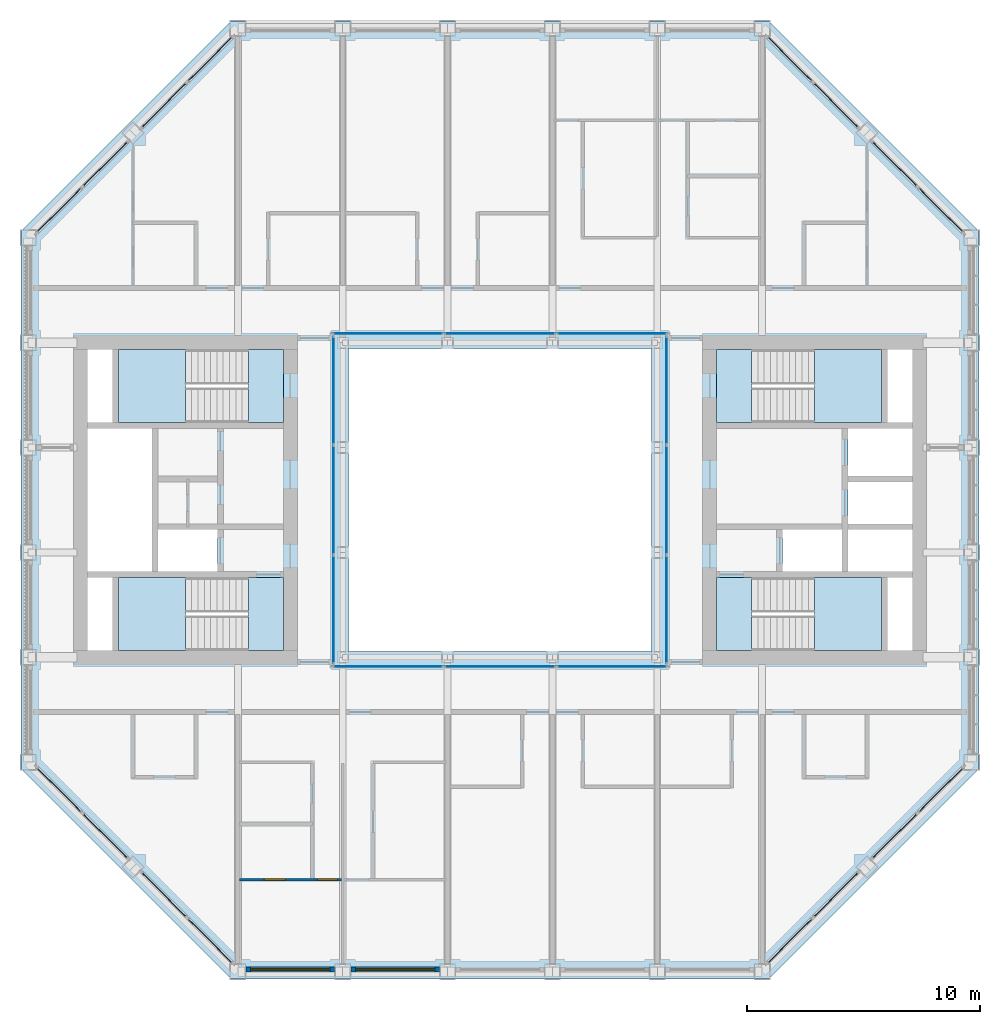
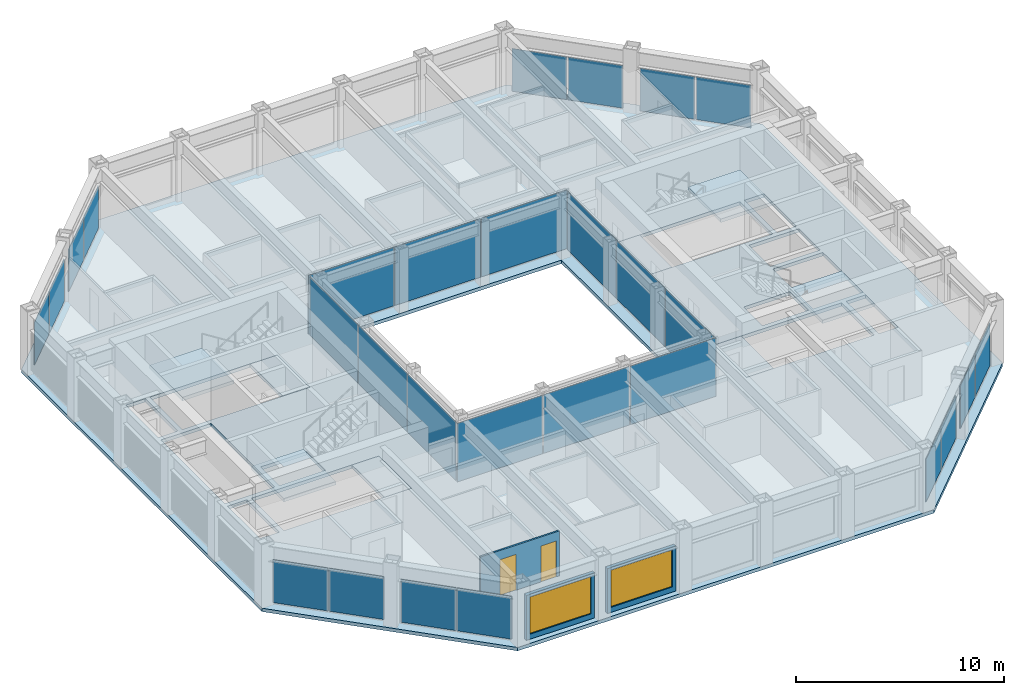
# One storey, part 8 of 18: 28 plates, 9 slabs, 3 walls, 2 doors, 2 windows, 4 openings, 16 elements without a shape of their own.
"""IFC4 building model written with IfcOpenShell, lengths in metres."""

from ifc_helpers import new_model, si_unit, direction, frame, frame_2d, origin, origin_2d, place, context, subcontext, project, spatial, polyline, rectangle, outline, extrude, material, layer, layer_set, type_object, element, fill, aggregate, save


model = new_model("IFC4")

# Units and contexts
model_context = context("Model", 3, precision=1e-05, world=origin(), true_north=direction((0.0, 1.0)))
body_context = subcontext(model_context, "Body", "Model", "MODEL_VIEW")
ifc_project = project(units=[si_unit("LENGTHUNIT", "METRE"), si_unit("AREAUNIT", "SQUARE_METRE"), si_unit("VOLUMEUNIT", "CUBIC_METRE"), si_unit("PLANEANGLEUNIT", "RADIAN"), si_unit("MASSUNIT", "GRAM", prefix="KILO")], contexts=[model_context])

# Site, building, storey
site_placement = place(None, origin())
site = spatial("IfcSite", under=ifc_project, at=site_placement, CompositionType="ELEMENT")
building_placement = place(site_placement, origin())
building = spatial("IfcBuilding", under=site, at=building_placement, Name="Msasa Ring Tower", CompositionType="ELEMENT")
storey_placement = place(building_placement, frame((0.0, 0.0, 223.300048828125)))
storey = spatial("IfcBuildingStorey", under=building, at=storey_placement, Name="L58", CompositionType="ELEMENT", Elevation=223.300048828125)

# Curtain wall, plates
ifc_material_1 = material(Name="Aluminium curtain wall with clear glass", Category="aluminium")
curtain_wall_type_1 = type_object("IfcCurtainWallType", Name="CW-C CHAMFER CORNER CURTAIN WALL", PredefinedType="NOTDEFINED", material=ifc_material_1)
curtain_wall_1_placement = place(storey_placement, origin())
curtain_wall_1 = element("IfcCurtainWall", 1, at=curtain_wall_1_placement, inside=storey, type_object=curtain_wall_type_1, Name="Chamfer corner curtain wall SE L58", PredefinedType="NOTDEFINED")
ifc_material_2 = material(Name="Clear laminated insulating glass unit", Category="glass")
ifc_layer_1 = layer(ifc_material_2, 0.031982421875)
ifc_layer_set_1 = layer_set([ifc_layer_1], Name="CW-C GLASS PANEL 32")
plate_type_1 = type_object("IfcPlateType", Name="CW-C GLASS PANEL 32", PredefinedType="CURTAIN_PANEL", material=ifc_layer_set_1)
plate_1_placement = place(storey_placement, frame((12.44140625, -18.917236328125, 0.06494140625), z_axis=(0.0, 0.0, 1.0), x_axis=(0.707106781187, 0.707106781187, 0.0)))
plate_1 = element("IfcPlate", 2, at=plate_1_placement, type_object=plate_type_1, Name="CW-C panel 1.1", PredefinedType="CURTAIN_PANEL", context=body_context, shape_type="SweptSolid", body=[
    extrude(rectangle(XDim=2.7294921875, YDim=0.031982421875, at=origin_2d()), origin(), (0.0, 0.0, 1.0), 2.4990234375),
])
plate_2_placement = place(storey_placement, frame((14.417236328125, -16.94140625, 0.06494140625), z_axis=(0.0, 0.0, 1.0), x_axis=(0.707106781187, 0.707106781187, 0.0)))
plate_2 = element("IfcPlate", 3, at=plate_2_placement, type_object=plate_type_1, Name="CW-C panel 2.1", PredefinedType="CURTAIN_PANEL", context=body_context, shape_type="SweptSolid", body=[
    extrude(rectangle(XDim=2.7294921875, YDim=0.031982421875, at=origin_2d()), origin(), (0.0, 0.0, 1.0), 2.4990234375),
])
aggregate(curtain_wall_1, [plate_1, plate_2])

curtain_wall_2_placement = place(storey_placement, origin())
curtain_wall_2 = element("IfcCurtainWall", 4, at=curtain_wall_2_placement, inside=storey, type_object=curtain_wall_type_1, Name="Chamfer corner curtain wall SE L58", PredefinedType="NOTDEFINED")
plate_3_placement = place(storey_placement, frame((16.94140625, -14.417236328125, 0.06494140625), z_axis=(0.0, 0.0, 1.0), x_axis=(0.707106781187, 0.707106781187, 0.0)))
plate_3 = element("IfcPlate", 5, at=plate_3_placement, type_object=plate_type_1, Name="CW-C panel 1.1", PredefinedType="CURTAIN_PANEL", context=body_context, shape_type="SweptSolid", body=[
    extrude(rectangle(XDim=2.7294921875, YDim=0.031982421875, at=origin_2d()), origin(), (0.0, 0.0, 1.0), 2.4990234375),
])
plate_4_placement = place(storey_placement, frame((18.917236328125, -12.44140625, 0.06494140625), z_axis=(0.0, 0.0, 1.0), x_axis=(0.707106781187, 0.707106781187, 0.0)))
plate_4 = element("IfcPlate", 6, at=plate_4_placement, type_object=plate_type_1, Name="CW-C panel 2.1", PredefinedType="CURTAIN_PANEL", context=body_context, shape_type="SweptSolid", body=[
    extrude(rectangle(XDim=2.7294921875, YDim=0.031982421875, at=origin_2d()), origin(), (0.0, 0.0, 1.0), 2.4990234375),
])
aggregate(curtain_wall_2, [plate_3, plate_4])

curtain_wall_3_placement = place(storey_placement, origin())
curtain_wall_3 = element("IfcCurtainWall", 7, at=curtain_wall_3_placement, inside=storey, type_object=curtain_wall_type_1, Name="Chamfer corner curtain wall NE L58", PredefinedType="NOTDEFINED")
plate_5_placement = place(storey_placement, frame((14.417236328125, 16.94140625, 0.06494140625), z_axis=(0.0, 0.0, 1.0), x_axis=(-0.707106781187, 0.707106781187, 0.0)))
plate_5 = element("IfcPlate", 8, at=plate_5_placement, type_object=plate_type_1, Name="CW-C panel 1.1", PredefinedType="CURTAIN_PANEL", context=body_context, shape_type="SweptSolid", body=[
    extrude(rectangle(XDim=2.7294921875, YDim=0.031982421875, at=origin_2d()), origin(), (0.0, 0.0, 1.0), 2.4990234375),
])
plate_6_placement = place(storey_placement, frame((12.44140625, 18.917236328125, 0.06494140625), z_axis=(0.0, 0.0, 1.0), x_axis=(-0.707106781187, 0.707106781187, 0.0)))
plate_6 = element("IfcPlate", 9, at=plate_6_placement, type_object=plate_type_1, Name="CW-C panel 2.1", PredefinedType="CURTAIN_PANEL", context=body_context, shape_type="SweptSolid", body=[
    extrude(rectangle(XDim=2.7294921875, YDim=0.031982421875, at=origin_2d()), origin(), (0.0, 0.0, 1.0), 2.4990234375),
])
aggregate(curtain_wall_3, [plate_5, plate_6])

curtain_wall_4_placement = place(storey_placement, origin())
curtain_wall_4 = element("IfcCurtainWall", 10, at=curtain_wall_4_placement, inside=storey, type_object=curtain_wall_type_1, Name="Chamfer corner curtain wall NE L58", PredefinedType="NOTDEFINED")
plate_7_placement = place(storey_placement, frame((18.917236328125, 12.44140625, 0.06494140625), z_axis=(0.0, 0.0, 1.0), x_axis=(-0.707106781187, 0.707106781187, 0.0)))
plate_7 = element("IfcPlate", 11, at=plate_7_placement, type_object=plate_type_1, Name="CW-C panel 1.1", PredefinedType="CURTAIN_PANEL", context=body_context, shape_type="SweptSolid", body=[
    extrude(rectangle(XDim=2.7294921875, YDim=0.031982421875, at=origin_2d()), origin(), (0.0, 0.0, 1.0), 2.4990234375),
])
plate_8_placement = place(storey_placement, frame((16.94140625, 14.417236328125, 0.06494140625), z_axis=(0.0, 0.0, 1.0), x_axis=(-0.707106781187, 0.707106781187, 0.0)))
plate_8 = element("IfcPlate", 12, at=plate_8_placement, type_object=plate_type_1, Name="CW-C panel 2.1", PredefinedType="CURTAIN_PANEL", context=body_context, shape_type="SweptSolid", body=[
    extrude(rectangle(XDim=2.7294921875, YDim=0.031982421875, at=origin_2d()), origin(), (0.0, 0.0, 1.0), 2.4990234375),
])
aggregate(curtain_wall_4, [plate_7, plate_8])

curtain_wall_5_placement = place(storey_placement, origin())
curtain_wall_5 = element("IfcCurtainWall", 13, at=curtain_wall_5_placement, inside=storey, type_object=curtain_wall_type_1, Name="Chamfer corner curtain wall NW L58", PredefinedType="NOTDEFINED")
plate_9_placement = place(storey_placement, frame((-16.94140625, 14.417236328125, 0.06494140625), z_axis=(0.0, 0.0, 1.0), x_axis=(-0.707106781187, -0.707106781187, 0.0)))
plate_9 = element("IfcPlate", 14, at=plate_9_placement, type_object=plate_type_1, Name="CW-C panel 1.1", PredefinedType="CURTAIN_PANEL", context=body_context, shape_type="SweptSolid", body=[
    extrude(rectangle(XDim=2.7294921875, YDim=0.031982421875, at=origin_2d()), origin(), (0.0, 0.0, 1.0), 2.4990234375),
])
plate_10_placement = place(storey_placement, frame((-18.917236328125, 12.44140625, 0.06494140625), z_axis=(0.0, 0.0, 1.0), x_axis=(-0.707106781187, -0.707106781187, 0.0)))
plate_10 = element("IfcPlate", 15, at=plate_10_placement, type_object=plate_type_1, Name="CW-C panel 2.1", PredefinedType="CURTAIN_PANEL", context=body_context, shape_type="SweptSolid", body=[
    extrude(rectangle(XDim=2.7294921875, YDim=0.031982421875, at=origin_2d()), origin(), (0.0, 0.0, 1.0), 2.4990234375),
])
aggregate(curtain_wall_5, [plate_9, plate_10])

curtain_wall_6_placement = place(storey_placement, origin())
curtain_wall_6 = element("IfcCurtainWall", 16, at=curtain_wall_6_placement, inside=storey, type_object=curtain_wall_type_1, Name="Chamfer corner curtain wall NW L58", PredefinedType="NOTDEFINED")
plate_11_placement = place(storey_placement, frame((-12.44140625, 18.917236328125, 0.06494140625), z_axis=(0.0, 0.0, 1.0), x_axis=(-0.707106781187, -0.707106781187, 0.0)))
plate_11 = element("IfcPlate", 17, at=plate_11_placement, type_object=plate_type_1, Name="CW-C panel 1.1", PredefinedType="CURTAIN_PANEL", context=body_context, shape_type="SweptSolid", body=[
    extrude(rectangle(XDim=2.7294921875, YDim=0.031982421875, at=origin_2d()), origin(), (0.0, 0.0, 1.0), 2.4990234375),
])
plate_12_placement = place(storey_placement, frame((-14.417236328125, 16.94140625, 0.06494140625), z_axis=(0.0, 0.0, 1.0), x_axis=(-0.707106781187, -0.707106781187, 0.0)))
plate_12 = element("IfcPlate", 18, at=plate_12_placement, type_object=plate_type_1, Name="CW-C panel 2.1", PredefinedType="CURTAIN_PANEL", context=body_context, shape_type="SweptSolid", body=[
    extrude(rectangle(XDim=2.7294921875, YDim=0.031982421875, at=origin_2d()), origin(), (0.0, 0.0, 1.0), 2.4990234375),
])
aggregate(curtain_wall_6, [plate_11, plate_12])

curtain_wall_7_placement = place(storey_placement, origin())
curtain_wall_7 = element("IfcCurtainWall", 19, at=curtain_wall_7_placement, inside=storey, type_object=curtain_wall_type_1, Name="Chamfer corner curtain wall SW L58", PredefinedType="NOTDEFINED")
plate_13_placement = place(storey_placement, frame((-18.917236328125, -12.44140625, 0.06494140625), z_axis=(0.0, 0.0, 1.0), x_axis=(0.707106781187, -0.707106781187, 0.0)))
plate_13 = element("IfcPlate", 20, at=plate_13_placement, type_object=plate_type_1, Name="CW-C panel 1.1", PredefinedType="CURTAIN_PANEL", context=body_context, shape_type="SweptSolid", body=[
    extrude(rectangle(XDim=2.7294921875, YDim=0.031982421875, at=origin_2d()), origin(), (0.0, 0.0, 1.0), 2.4990234375),
])
plate_14_placement = place(storey_placement, frame((-16.94140625, -14.417236328125, 0.06494140625), z_axis=(0.0, 0.0, 1.0), x_axis=(0.707106781187, -0.707106781187, 0.0)))
plate_14 = element("IfcPlate", 21, at=plate_14_placement, type_object=plate_type_1, Name="CW-C panel 2.1", PredefinedType="CURTAIN_PANEL", context=body_context, shape_type="SweptSolid", body=[
    extrude(rectangle(XDim=2.7294921875, YDim=0.031982421875, at=origin_2d()), origin(), (0.0, 0.0, 1.0), 2.4990234375),
])
aggregate(curtain_wall_7, [plate_13, plate_14])

curtain_wall_8_placement = place(storey_placement, origin())
curtain_wall_8 = element("IfcCurtainWall", 22, at=curtain_wall_8_placement, inside=storey, type_object=curtain_wall_type_1, Name="Chamfer corner curtain wall SW L58", PredefinedType="NOTDEFINED")
plate_15_placement = place(storey_placement, frame((-14.417236328125, -16.94140625, 0.06494140625), z_axis=(0.0, 0.0, 1.0), x_axis=(0.707106781187, -0.707106781187, 0.0)))
plate_15 = element("IfcPlate", 23, at=plate_15_placement, type_object=plate_type_1, Name="CW-C panel 1.1", PredefinedType="CURTAIN_PANEL", context=body_context, shape_type="SweptSolid", body=[
    extrude(rectangle(XDim=2.7294921875, YDim=0.031982421875, at=origin_2d()), origin(), (0.0, 0.0, 1.0), 2.4990234375),
])
plate_16_placement = place(storey_placement, frame((-12.44140625, -18.917236328125, 0.06494140625), z_axis=(0.0, 0.0, 1.0), x_axis=(0.707106781187, -0.707106781187, 0.0)))
plate_16 = element("IfcPlate", 24, at=plate_16_placement, type_object=plate_type_1, Name="CW-C panel 2.1", PredefinedType="CURTAIN_PANEL", context=body_context, shape_type="SweptSolid", body=[
    extrude(rectangle(XDim=2.7294921875, YDim=0.031982421875, at=origin_2d()), origin(), (0.0, 0.0, 1.0), 2.4990234375),
])
aggregate(curtain_wall_8, [plate_15, plate_16])

ifc_material_3 = material(Name="Aluminium curtain wall with clear glass", Category="aluminium")
curtain_wall_type_2 = type_object("IfcCurtainWallType", Name="CW-W LIGHT WELL CURTAIN WALL", PredefinedType="NOTDEFINED", material=ifc_material_3)
curtain_wall_9_placement = place(storey_placement, origin())
curtain_wall_9 = element("IfcCurtainWall", 25, at=curtain_wall_9_placement, inside=storey, type_object=curtain_wall_type_2, Name="Light well curtain wall N L58", PredefinedType="NOTDEFINED")
ifc_material_4 = material(Name="Clear laminated insulating glass unit", Category="glass")
ifc_layer_2 = layer(ifc_material_4, 0.028076171875)
ifc_layer_set_2 = layer_set([ifc_layer_2], Name="CW-W GLASS PANEL 28")
plate_type_2 = type_object("IfcPlateType", Name="CW-W GLASS PANEL 28", PredefinedType="CURTAIN_PANEL", material=ifc_layer_set_2)
plate_17_placement = place(storey_placement, frame((-4.804931640625, 7.14990234375, 0.06005859375), z_axis=(0.0, 0.0, 1.0), x_axis=(1.0, 0.0, 0.0)))
plate_17 = element("IfcPlate", 26, at=plate_17_placement, type_object=plate_type_2, Name="CW-W panel 1.1", PredefinedType="CURTAIN_PANEL", context=body_context, shape_type="SweptSolid", body=[
    extrude(rectangle(XDim=4.72998046875, YDim=0.028076171875, at=origin_2d()), origin(), (0.0, 0.0, 1.0), 3.429931640625),
])
plate_18_placement = place(storey_placement, frame((0.0, 7.14990234375, 0.06005859375), z_axis=(0.0, 0.0, 1.0), x_axis=(1.0, 0.0, 0.0)))
plate_18 = element("IfcPlate", 27, at=plate_18_placement, type_object=plate_type_2, Name="CW-W panel 2.1", PredefinedType="CURTAIN_PANEL", context=body_context, shape_type="SweptSolid", body=[
    extrude(rectangle(XDim=4.760009765625, YDim=0.028076171875, at=origin_2d()), origin(), (0.0, 0.0, 1.0), 3.429931640625),
])
plate_19_placement = place(storey_placement, frame((4.804931640625, 7.14990234375, 0.06005859375), z_axis=(0.0, 0.0, 1.0), x_axis=(1.0, 0.0, 0.0)))
plate_19 = element("IfcPlate", 28, at=plate_19_placement, type_object=plate_type_2, Name="CW-W panel 3.1", PredefinedType="CURTAIN_PANEL", context=body_context, shape_type="SweptSolid", body=[
    extrude(rectangle(XDim=4.72998046875, YDim=0.028076171875, at=origin_2d()), origin(), (0.0, 0.0, 1.0), 3.429931640625),
])
aggregate(curtain_wall_9, [plate_17, plate_18, plate_19])

curtain_wall_10_placement = place(storey_placement, origin())
curtain_wall_10 = element("IfcCurtainWall", 29, at=curtain_wall_10_placement, inside=storey, type_object=curtain_wall_type_2, Name="Light well curtain wall S L58", PredefinedType="NOTDEFINED")
plate_20_placement = place(storey_placement, frame((-4.804931640625, -7.14990234375, 0.06005859375), z_axis=(0.0, 0.0, 1.0), x_axis=(1.0, 0.0, 0.0)))
plate_20 = element("IfcPlate", 30, at=plate_20_placement, type_object=plate_type_2, Name="CW-W panel 1.1", PredefinedType="CURTAIN_PANEL", context=body_context, shape_type="SweptSolid", body=[
    extrude(rectangle(XDim=4.72998046875, YDim=0.028076171875, at=origin_2d()), origin(), (0.0, 0.0, 1.0), 3.429931640625),
])
plate_21_placement = place(storey_placement, frame((0.0, -7.14990234375, 0.06005859375), z_axis=(0.0, 0.0, 1.0), x_axis=(1.0, 0.0, 0.0)))
plate_21 = element("IfcPlate", 31, at=plate_21_placement, type_object=plate_type_2, Name="CW-W panel 2.1", PredefinedType="CURTAIN_PANEL", context=body_context, shape_type="SweptSolid", body=[
    extrude(rectangle(XDim=4.760009765625, YDim=0.028076171875, at=origin_2d()), origin(), (0.0, 0.0, 1.0), 3.429931640625),
])
plate_22_placement = place(storey_placement, frame((4.804931640625, -7.14990234375, 0.06005859375), z_axis=(0.0, 0.0, 1.0), x_axis=(1.0, 0.0, 0.0)))
plate_22 = element("IfcPlate", 32, at=plate_22_placement, type_object=plate_type_2, Name="CW-W panel 3.1", PredefinedType="CURTAIN_PANEL", context=body_context, shape_type="SweptSolid", body=[
    extrude(rectangle(XDim=4.72998046875, YDim=0.028076171875, at=origin_2d()), origin(), (0.0, 0.0, 1.0), 3.429931640625),
])
aggregate(curtain_wall_10, [plate_20, plate_21, plate_22])

curtain_wall_11_placement = place(storey_placement, origin())
curtain_wall_11 = element("IfcCurtainWall", 33, at=curtain_wall_11_placement, inside=storey, type_object=curtain_wall_type_2, Name="Light well curtain wall E L58", PredefinedType="NOTDEFINED")
plate_23_placement = place(storey_placement, frame((7.14990234375, -4.6982421875, 0.06005859375), z_axis=(0.0, 0.0, 1.0), x_axis=(0.0, 1.0, 0.0)))
plate_23 = element("IfcPlate", 34, at=plate_23_placement, type_object=plate_type_2, Name="CW-W panel 1.1", PredefinedType="CURTAIN_PANEL", context=body_context, shape_type="SweptSolid", body=[
    extrude(rectangle(XDim=4.623291015625, YDim=0.028076171875, at=origin_2d()), origin(), (0.0, 0.0, 1.0), 3.429931640625),
])
plate_24_placement = place(storey_placement, frame((7.14990234375, 0.0, 0.06005859375), z_axis=(0.0, 0.0, 1.0), x_axis=(0.0, 1.0, 0.0)))
plate_24 = element("IfcPlate", 35, at=plate_24_placement, type_object=plate_type_2, Name="CW-W panel 2.1", PredefinedType="CURTAIN_PANEL", context=body_context, shape_type="SweptSolid", body=[
    extrude(rectangle(XDim=4.6533203125, YDim=0.028076171875, at=origin_2d()), origin(), (0.0, 0.0, 1.0), 3.429931640625),
])
plate_25_placement = place(storey_placement, frame((7.14990234375, 4.6982421875, 0.06005859375), z_axis=(0.0, 0.0, 1.0), x_axis=(0.0, 1.0, 0.0)))
plate_25 = element("IfcPlate", 36, at=plate_25_placement, type_object=plate_type_2, Name="CW-W panel 3.1", PredefinedType="CURTAIN_PANEL", context=body_context, shape_type="SweptSolid", body=[
    extrude(rectangle(XDim=4.623291015625, YDim=0.028076171875, at=origin_2d()), origin(), (0.0, 0.0, 1.0), 3.429931640625),
])
aggregate(curtain_wall_11, [plate_23, plate_24, plate_25])

curtain_wall_12_placement = place(storey_placement, origin())
curtain_wall_12 = element("IfcCurtainWall", 37, at=curtain_wall_12_placement, inside=storey, type_object=curtain_wall_type_2, Name="Light well curtain wall W L58", PredefinedType="NOTDEFINED")
plate_26_placement = place(storey_placement, frame((-7.14990234375, -4.6982421875, 0.06005859375), z_axis=(0.0, 0.0, 1.0), x_axis=(0.0, 1.0, 0.0)))
plate_26 = element("IfcPlate", 38, at=plate_26_placement, type_object=plate_type_2, Name="CW-W panel 1.1", PredefinedType="CURTAIN_PANEL", context=body_context, shape_type="SweptSolid", body=[
    extrude(rectangle(XDim=4.623291015625, YDim=0.028076171875, at=origin_2d()), origin(), (0.0, 0.0, 1.0), 3.429931640625),
])
plate_27_placement = place(storey_placement, frame((-7.14990234375, 0.0, 0.06005859375), z_axis=(0.0, 0.0, 1.0), x_axis=(0.0, 1.0, 0.0)))
plate_27 = element("IfcPlate", 39, at=plate_27_placement, type_object=plate_type_2, Name="CW-W panel 2.1", PredefinedType="CURTAIN_PANEL", context=body_context, shape_type="SweptSolid", body=[
    extrude(rectangle(XDim=4.6533203125, YDim=0.028076171875, at=origin_2d()), origin(), (0.0, 0.0, 1.0), 3.429931640625),
])
plate_28_placement = place(storey_placement, frame((-7.14990234375, 4.6982421875, 0.06005859375), z_axis=(0.0, 0.0, 1.0), x_axis=(0.0, 1.0, 0.0)))
plate_28 = element("IfcPlate", 40, at=plate_28_placement, type_object=plate_type_2, Name="CW-W panel 3.1", PredefinedType="CURTAIN_PANEL", context=body_context, shape_type="SweptSolid", body=[
    extrude(rectangle(XDim=4.623291015625, YDim=0.028076171875, at=origin_2d()), origin(), (0.0, 0.0, 1.0), 3.429931640625),
])
aggregate(curtain_wall_12, [plate_26, plate_27, plate_28])

# Stair, slabs
ifc_material_5 = material(Name="Concrete C40/50", Category="concrete")
stair_type = type_object("IfcStairType", Name="STC CORE STAIR 22 RISERS 170.5", PredefinedType="HALF_TURN_STAIR", material=ifc_material_5)
stair_1_placement = place(storey_placement, origin())
stair_1 = element("IfcStair", 41, at=stair_1_placement, inside=storey, type_object=stair_type, Name="Core stair SEA L58", PredefinedType="HALF_TURN_STAIR")
ifc_material_6 = material(Name="Concrete C40/50", Category="concrete")
ifc_layer_3 = layer(ifc_material_6, 0.199951171875)
ifc_layer_set_3 = layer_set([ifc_layer_3], Name="LD1 CORE STAIR LANDING 200")
slab_type_1 = type_object("IfcSlabType", Name="LD1 CORE STAIR LANDING 200", PredefinedType="LANDING", material=ifc_layer_set_3)
slab_1_placement = place(storey_placement, frame((0.0, 0.0, -0.199951171875)))
slab_1 = element("IfcSlab", 42, at=slab_1_placement, type_object=slab_type_1, Name="SEA landing 1", PredefinedType="LANDING", context=body_context, shape_type="SweptSolid", body=[
    extrude(outline(polyline([(9.300048828125, -6.449951171875), (10.800048828125, -6.449951171875), (10.800048828125, -3.324951171875), (9.300048828125, -3.324951171875), (9.300048828125, -6.449951171875)])), origin(), (0.0, 0.0, 1.0), 0.199951171875),
])
slab_2_placement = place(storey_placement, frame((0.0, 0.0, 1.675048828125)))
slab_2 = element("IfcSlab", 43, at=slab_2_placement, type_object=slab_type_1, Name="SEA landing 2", PredefinedType="LANDING", context=body_context, shape_type="SweptSolid", body=[
    extrude(outline(polyline([(13.5, -6.449951171875), (16.375, -6.449951171875), (16.375, -3.324951171875), (13.5, -3.324951171875), (13.5, -6.449951171875)])), origin(), (0.0, 0.0, 1.0), 0.199951171875),
])
aggregate(stair_1, [slab_1, slab_2])

stair_2_placement = place(storey_placement, origin())
stair_2 = element("IfcStair", 44, at=stair_2_placement, inside=storey, type_object=stair_type, Name="Core stair SEB L58", PredefinedType="HALF_TURN_STAIR")
slab_3_placement = place(storey_placement, frame((0.0, 0.0, -0.199951171875)))
slab_3 = element("IfcSlab", 45, at=slab_3_placement, type_object=slab_type_1, Name="SEB landing 1", PredefinedType="LANDING", context=body_context, shape_type="SweptSolid", body=[
    extrude(outline(polyline([(9.300048828125, 3.324951171875), (10.800048828125, 3.324951171875), (10.800048828125, 6.449951171875), (9.300048828125, 6.449951171875), (9.300048828125, 3.324951171875)])), origin(), (0.0, 0.0, 1.0), 0.199951171875),
])
slab_4_placement = place(storey_placement, frame((0.0, 0.0, 1.675048828125)))
slab_4 = element("IfcSlab", 46, at=slab_4_placement, type_object=slab_type_1, Name="SEB landing 2", PredefinedType="LANDING", context=body_context, shape_type="SweptSolid", body=[
    extrude(outline(polyline([(13.5, 3.324951171875), (16.375, 3.324951171875), (16.375, 6.449951171875), (13.5, 6.449951171875), (13.5, 3.324951171875)])), origin(), (0.0, 0.0, 1.0), 0.199951171875),
])
aggregate(stair_2, [slab_3, slab_4])

stair_3_placement = place(storey_placement, origin())
stair_3 = element("IfcStair", 47, at=stair_3_placement, inside=storey, type_object=stair_type, Name="Core stair SWA L58", PredefinedType="HALF_TURN_STAIR")
slab_5_placement = place(storey_placement, frame((0.0, 0.0, -0.199951171875)))
slab_5 = element("IfcSlab", 48, at=slab_5_placement, type_object=slab_type_1, Name="SWA landing 1", PredefinedType="LANDING", context=body_context, shape_type="SweptSolid", body=[
    extrude(outline(polyline([(-10.800048828125, -6.449951171875), (-9.300048828125, -6.449951171875), (-9.300048828125, -3.324951171875), (-10.800048828125, -3.324951171875), (-10.800048828125, -6.449951171875)])), origin(), (0.0, 0.0, 1.0), 0.199951171875),
])
slab_6_placement = place(storey_placement, frame((0.0, 0.0, 1.675048828125)))
slab_6 = element("IfcSlab", 49, at=slab_6_placement, type_object=slab_type_1, Name="SWA landing 2", PredefinedType="LANDING", context=body_context, shape_type="SweptSolid", body=[
    extrude(outline(polyline([(-16.375, -6.449951171875), (-13.5, -6.449951171875), (-13.5, -3.324951171875), (-16.375, -3.324951171875), (-16.375, -6.449951171875)])), origin(), (0.0, 0.0, 1.0), 0.199951171875),
])
aggregate(stair_3, [slab_5, slab_6])

stair_4_placement = place(storey_placement, origin())
stair_4 = element("IfcStair", 50, at=stair_4_placement, inside=storey, type_object=stair_type, Name="Core stair SWB L58", PredefinedType="HALF_TURN_STAIR")
slab_7_placement = place(storey_placement, frame((0.0, 0.0, -0.199951171875)))
slab_7 = element("IfcSlab", 51, at=slab_7_placement, type_object=slab_type_1, Name="SWB landing 1", PredefinedType="LANDING", context=body_context, shape_type="SweptSolid", body=[
    extrude(outline(polyline([(-10.800048828125, 3.324951171875), (-9.300048828125, 3.324951171875), (-9.300048828125, 6.449951171875), (-10.800048828125, 6.449951171875), (-10.800048828125, 3.324951171875)])), origin(), (0.0, 0.0, 1.0), 0.199951171875),
])
slab_8_placement = place(storey_placement, frame((0.0, 0.0, 1.675048828125)))
slab_8 = element("IfcSlab", 52, at=slab_8_placement, type_object=slab_type_1, Name="SWB landing 2", PredefinedType="LANDING", context=body_context, shape_type="SweptSolid", body=[
    extrude(outline(polyline([(-16.375, 3.324951171875), (-13.5, 3.324951171875), (-13.5, 6.449951171875), (-16.375, 6.449951171875), (-16.375, 3.324951171875)])), origin(), (0.0, 0.0, 1.0), 0.199951171875),
])
aggregate(stair_4, [slab_7, slab_8])

# Slab
ifc_material_7 = material(Name="Concrete C40/50", Category="concrete")
ifc_layer_4 = layer(ifc_material_7, 0.199951171875)
ifc_layer_set_4 = layer_set([ifc_layer_4], Name="S8 SUITE FLOOR 200")
slab_type_2 = type_object("IfcSlabType", Name="S8 SUITE FLOOR 200", PredefinedType="FLOOR", material=ifc_layer_set_4)
slab_9_placement = place(storey_placement, frame((0.0, 0.0, -0.199951171875)))
element("IfcSlab", 53, at=slab_9_placement, inside=storey, type_object=slab_type_2, Name="Floor slab L58", PredefinedType="FLOOR", context=body_context, shape_type="SweptSolid", body=[
    extrude(outline(polyline([(-11.550048828125, -20.550048828125), (11.550048828125, -20.550048828125), (20.550048828125, -11.550048828125), (20.550048828125, 11.550048828125), (11.550048828125, 20.550048828125), (-11.550048828125, 20.550048828125), (-20.550048828125, 11.550048828125), (-20.550048828125, -11.550048828125), (-11.550048828125, -20.550048828125)]), holes=[polyline([(-6.5, -6.5), (6.5, -6.5), (6.5, 6.5), (-6.5, 6.5), (-6.5, -6.5)]), polyline([(9.300048828125, -6.449951171875), (16.375, -6.449951171875), (16.375, -3.324951171875), (9.300048828125, -3.324951171875), (9.300048828125, -6.449951171875)]), polyline([(9.300048828125, 3.324951171875), (16.375, 3.324951171875), (16.375, 6.449951171875), (9.300048828125, 6.449951171875), (9.300048828125, 3.324951171875)]), polyline([(12.125, -3.074951171875), (14.675048828125, -3.074951171875), (14.675048828125, -1.27490234375), (12.125, -1.27490234375), (12.125, -3.074951171875)]), polyline([(16.625, -6.449951171875), (17.699951171875, -6.449951171875), (17.699951171875, -3.324951171875), (16.625, -3.324951171875), (16.625, -6.449951171875)]), polyline([(16.625, 3.324951171875), (17.699951171875, 3.324951171875), (17.699951171875, 6.449951171875), (16.625, 6.449951171875), (16.625, 3.324951171875)]), polyline([(14.925048828125, -3.074951171875), (17.699951171875, -3.074951171875), (17.699951171875, -1.27490234375), (14.925048828125, -1.27490234375), (14.925048828125, -3.074951171875)]), polyline([(14.925048828125, -1.02490234375), (17.699951171875, -1.02490234375), (17.699951171875, 0.77490234375), (14.925048828125, 0.77490234375), (14.925048828125, -1.02490234375)]), polyline([(14.925048828125, 1.02490234375), (17.699951171875, 1.02490234375), (17.699951171875, 3.074951171875), (14.925048828125, 3.074951171875), (14.925048828125, 1.02490234375)]), polyline([(-16.375, -6.449951171875), (-9.300048828125, -6.449951171875), (-9.300048828125, -3.324951171875), (-16.375, -3.324951171875), (-16.375, -6.449951171875)]), polyline([(-16.375, 3.324951171875), (-9.300048828125, 3.324951171875), (-9.300048828125, 6.449951171875), (-16.375, 6.449951171875), (-16.375, 3.324951171875)]), polyline([(-14.675048828125, -3.074951171875), (-12.125, -3.074951171875), (-12.125, -1.27490234375), (-14.675048828125, -1.27490234375), (-14.675048828125, -3.074951171875)]), polyline([(-17.699951171875, -6.449951171875), (-16.625, -6.449951171875), (-16.625, -3.324951171875), (-17.699951171875, -3.324951171875), (-17.699951171875, -6.449951171875)]), polyline([(-17.699951171875, 3.324951171875), (-16.625, 3.324951171875), (-16.625, 6.449951171875), (-17.699951171875, 6.449951171875), (-17.699951171875, 3.324951171875)]), polyline([(-17.699951171875, -3.074951171875), (-14.925048828125, -3.074951171875), (-14.925048828125, 3.074951171875), (-17.699951171875, 3.074951171875), (-17.699951171875, -3.074951171875)])]), origin(), (0.0, 0.0, 1.0), 0.199951171875),
])

# Wall, opening, window
ifc_material_8 = material(Name="Terracotta rainscreen on blockwork", Category="masonry")
ifc_layer_5 = layer(ifc_material_8, 0.199951171875)
ifc_layer_set_5 = layer_set([ifc_layer_5], Name="FW1 TERRACOTTA-LINED INFILL BAY WALL 200")
wall_type_1 = type_object("IfcWallType", Name="FW1 TERRACOTTA-LINED INFILL BAY WALL 200", PredefinedType="SOLIDWALL", material=ifc_layer_set_5)
wall_1_placement = place(storey_placement, frame((-10.89501953125, -20.14990234375, 0.0), z_axis=(0.0, 0.0, 1.0), x_axis=(1.0, 0.0, 0.0)))
wall_1 = element("IfcWall", 54, at=wall_1_placement, inside=storey, type_object=wall_type_1, Name="Infill bay wall S L58 00", PredefinedType="SOLIDWALL", context=body_context, shape_type="SweptSolid", body=[
    extrude(rectangle(XDim=3.7900390625, YDim=0.199951171875, at=frame_2d((1.89501953125, 0.0))), origin(), (0.0, 0.0, 1.0), 2.62890625),
])
opening_1_placement = place(wall_1_placement, frame((0.195068359375, 0.0, 0.300048828125)))
opening_1 = element("IfcOpeningElement", 55, at=opening_1_placement, cuts=wall_1, Name="Opening WN3", PredefinedType="OPENING", context=body_context, shape_type="SweptSolid", body=[
    extrude(rectangle(XDim=3.39990234375, YDim=2.178955078125, at=frame_2d((1.699951171875, 1.08935546875))), frame((0.0, 0.10986328125, 0.0), z_axis=(0.0, -1.0, 0.0), x_axis=(1.0, 0.0, 0.0)), (0.0, 0.0, 1.0), 0.219970703125),
])
ifc_material_9 = material(Name="Aluminium frame with clear glass", Category="aluminium")
window_type = type_object("IfcWindowType", Name="WN3 SUITE WINDOW 3400x2179", PartitioningType="SINGLE_PANEL", PredefinedType="WINDOW", material=ifc_material_9)
window_1_placement = place(opening_1_placement, origin())
window_1 = element("IfcWindow", 56, at=window_1_placement, inside=storey, type_object=window_type, Name="Window S L58 00", OverallHeight=2.178955078125, OverallWidth=3.39990234375, PartitioningType="SINGLE_PANEL", PredefinedType="WINDOW", context=body_context, shape_type="SweptSolid", body=[
    extrude(rectangle(XDim=3.39990234375, YDim=2.178955078125, at=frame_2d((1.699951171875, 1.08935546875))), frame((0.0, 0.030029296875, 0.0), z_axis=(0.0, -1.0, 0.0), x_axis=(1.0, 0.0, 0.0)), (0.0, 0.0, 1.0), 0.06005859375),
])
fill(opening_1, window_1)

wall_2_placement = place(storey_placement, frame((-6.39501953125, -20.14990234375, 0.0), z_axis=(0.0, 0.0, 1.0), x_axis=(1.0, 0.0, 0.0)))
wall_2 = element("IfcWall", 57, at=wall_2_placement, inside=storey, type_object=wall_type_1, Name="Infill bay wall S L58 01", PredefinedType="SOLIDWALL", context=body_context, shape_type="SweptSolid", body=[
    extrude(rectangle(XDim=3.7900390625, YDim=0.199951171875, at=frame_2d((1.89501953125, 0.0))), origin(), (0.0, 0.0, 1.0), 2.62890625),
])
opening_2_placement = place(wall_2_placement, frame((0.195068359375, 0.0, 0.300048828125)))
opening_2 = element("IfcOpeningElement", 58, at=opening_2_placement, cuts=wall_2, Name="Opening WN3", PredefinedType="OPENING", context=body_context, shape_type="SweptSolid", body=[
    extrude(rectangle(XDim=3.39990234375, YDim=2.178955078125, at=frame_2d((1.699951171875, 1.08935546875))), frame((0.0, 0.10986328125, 0.0), z_axis=(0.0, -1.0, 0.0), x_axis=(1.0, 0.0, 0.0)), (0.0, 0.0, 1.0), 0.219970703125),
])
window_2_placement = place(opening_2_placement, origin())
window_2 = element("IfcWindow", 59, at=window_2_placement, inside=storey, type_object=window_type, Name="Window S L58 01", OverallHeight=2.178955078125, OverallWidth=3.39990234375, PartitioningType="SINGLE_PANEL", PredefinedType="WINDOW", context=body_context, shape_type="SweptSolid", body=[
    extrude(rectangle(XDim=3.39990234375, YDim=2.178955078125, at=frame_2d((1.699951171875, 1.08935546875))), frame((0.0, 0.030029296875, 0.0), z_axis=(0.0, -1.0, 0.0), x_axis=(1.0, 0.0, 0.0)), (0.0, 0.0, 1.0), 0.06005859375),
])
fill(opening_2, window_2)

# Wall, openings, doors
ifc_material_10 = material(Name="Gypsum board on steel studs", Category="steel")
ifc_layer_6 = layer(ifc_material_10, 0.10009765625)
ifc_layer_set_6 = layer_set([ifc_layer_6], Name="PT2 STUD PARTITION 100")
wall_type_2 = type_object("IfcWallType", Name="PT2 STUD PARTITION 100", PredefinedType="PARTITIONING", material=ifc_layer_set_6)
wall_3_placement = place(storey_placement, frame((-11.18994140625, -16.300048828125, 0.0), z_axis=(0.0, 0.0, 1.0), x_axis=(1.0, 0.0, 0.0)))
wall_3 = element("IfcWall", 60, at=wall_3_placement, inside=storey, type_object=wall_type_2, Name="Partition L58-JS00SY1", PredefinedType="PARTITIONING", context=body_context, shape_type="SweptSolid", body=[
    extrude(rectangle(XDim=4.389892578125, YDim=0.10009765625, at=frame_2d((2.19482421875, 0.0))), origin(), (0.0, 0.0, 1.0), 2.62890625),
])
opening_3_placement = place(wall_3_placement, frame((3.364990234375, 0.0, 0.0)))
opening_3 = element("IfcOpeningElement", 61, at=opening_3_placement, cuts=wall_3, Name="Opening SC-050", PredefinedType="OPENING", context=body_context, shape_type="SweptSolid", body=[
    extrude(rectangle(XDim=0.85009765625, YDim=2.10009765625, at=frame_2d((0.425048828125, 1.050048828125))), frame((0.0, 0.06005859375, 0.0), z_axis=(0.0, -1.0, 0.0), x_axis=(1.0, 0.0, 0.0)), (0.0, 0.0, 1.0), 0.1201171875),
])
opening_4_placement = place(wall_3_placement, frame((1.080078125, 0.0, 0.0)))
opening_4 = element("IfcOpeningElement", 62, at=opening_4_placement, cuts=wall_3, Name="Opening SC-049", PredefinedType="OPENING", context=body_context, shape_type="SweptSolid", body=[
    extrude(rectangle(XDim=0.89990234375, YDim=2.10009765625, at=frame_2d((0.449951171875, 1.050048828125))), frame((0.0, 0.06005859375, 0.0), z_axis=(0.0, -1.0, 0.0), x_axis=(1.0, 0.0, 0.0)), (0.0, 0.0, 1.0), 0.1201171875),
])
ifc_material_11 = material(Name="Timber door leaf in a steel frame", Category="steel")
door_type_1 = type_object("IfcDoorType", Name="D14 BEDROOM DOOR 850x2100", OperationType="SINGLE_SWING_LEFT", PredefinedType="DOOR", material=ifc_material_11)
door_1_placement = place(opening_3_placement, origin())
door_1 = element("IfcDoor", 63, at=door_1_placement, inside=storey, type_object=door_type_1, Name="Door L58-JS00R1", OperationType="SINGLE_SWING_RIGHT", OverallHeight=2.10009765625, OverallWidth=0.85009765625, PredefinedType="DOOR", context=body_context, shape_type="SweptSolid", body=[
    extrude(rectangle(XDim=0.85009765625, YDim=2.10009765625, at=frame_2d((0.425048828125, 1.050048828125))), frame((0.0, 0.02490234375, 0.0), z_axis=(0.0, -1.0, 0.0), x_axis=(1.0, 0.0, 0.0)), (0.0, 0.0, 1.0), 0.050048828125),
])
fill(opening_3, door_1)
ifc_material_12 = material(Name="Timber door leaf in a steel frame", Category="steel")
door_type_2 = type_object("IfcDoorType", Name="D3 BATHROOM DOOR 900x2100", OperationType="SINGLE_SWING_LEFT", PredefinedType="DOOR", material=ifc_material_12)
door_2_placement = place(opening_4_placement, origin())
door_2 = element("IfcDoor", 64, at=door_2_placement, inside=storey, type_object=door_type_2, Name="Door L58-JS00B1", OperationType="SINGLE_SWING_LEFT", OverallHeight=2.10009765625, OverallWidth=0.89990234375, PredefinedType="DOOR", context=body_context, shape_type="SweptSolid", body=[
    extrude(rectangle(XDim=0.89990234375, YDim=2.10009765625, at=frame_2d((0.449951171875, 1.050048828125))), frame((0.0, 0.02490234375, 0.0), z_axis=(0.0, -1.0, 0.0), x_axis=(1.0, 0.0, 0.0)), (0.0, 0.0, 1.0), 0.050048828125),
])
fill(opening_4, door_2)

save(model, "model.ifc")
